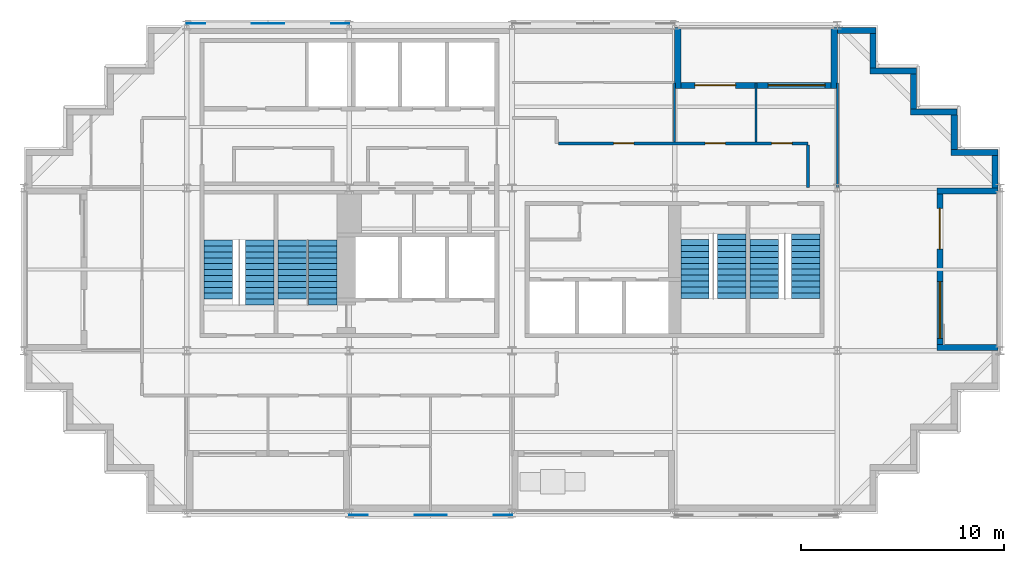
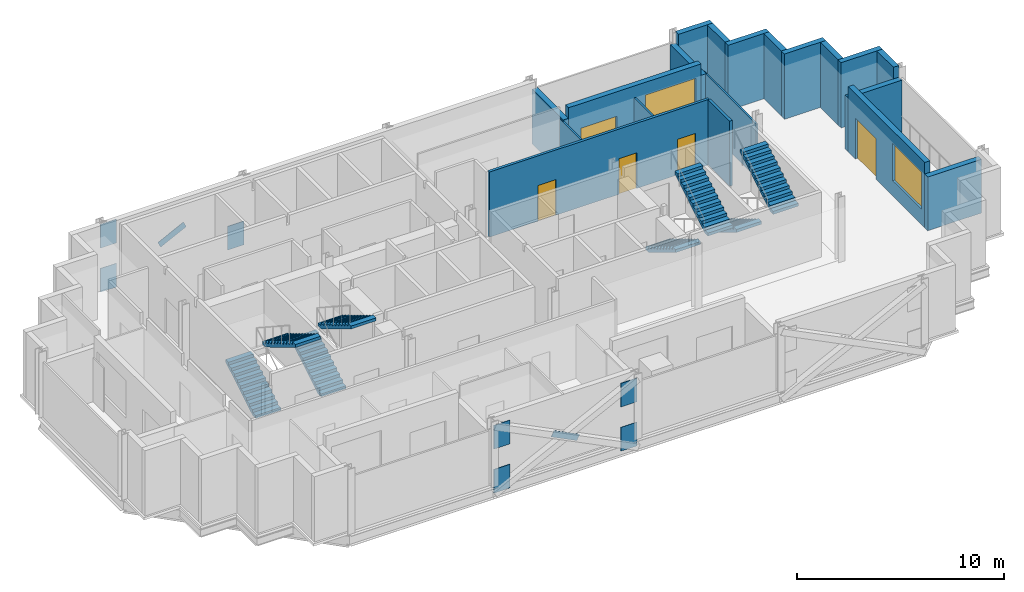
# One storey, part 7 of 10: 19 walls, 9 discrete accessories, 8 stair flights, 5 doors, 2 windows, 7 openings, 4 elements without a shape of their own.
"""IFC4 building model written with IfcOpenShell, lengths in metres."""

from ifc_helpers import new_model, si_unit, direction, frame, frame_2d, origin, origin_2d, place, context, subcontext, project, spatial, polyline, rectangle, outline, extrude, material, layer, layer_set, material_profile, profile_set, type_object, element, fill, aggregate, save


model = new_model("IFC4")

# Units and contexts
model_context = context("Model", 3, precision=1e-05, world=origin(), true_north=direction((0.0, 1.0)))
body_context = subcontext(model_context, "Body", "Model", "MODEL_VIEW")
ifc_project = project(units=[si_unit("LENGTHUNIT", "METRE"), si_unit("AREAUNIT", "SQUARE_METRE"), si_unit("VOLUMEUNIT", "CUBIC_METRE"), si_unit("PLANEANGLEUNIT", "RADIAN"), si_unit("MASSUNIT", "GRAM", prefix="KILO")], contexts=[model_context])

# Site, building, storey
site_placement = place(None, origin())
site = spatial("IfcSite", under=ifc_project, at=site_placement, CompositionType="ELEMENT")
building_placement = place(site_placement, origin())
building = spatial("IfcBuilding", under=site, at=building_placement, Name="Immortelle Media Tower", CompositionType="ELEMENT")
storey_placement = place(building_placement, frame((0.0, 0.0, 213.0)))
storey = spatial("IfcBuildingStorey", under=building, at=storey_placement, Name="L45", CompositionType="ELEMENT", Elevation=213.0)

# Wall
ifc_material_1 = material(Name="Fire-rated gypsum board", Category="gypsum")
ifc_layer_1 = layer(ifc_material_1, 0.012451171875)
ifc_material_2 = material(Name="Steel ASTM A653 SS Gr 50 stud frame with mineral wool", Category="steel")
ifc_layer_2 = layer(ifc_material_2, 0.125)
ifc_layer_3 = layer(ifc_material_1, 0.012451171875)
ifc_layer_set_1 = layer_set([ifc_layer_1, ifc_layer_2, ifc_layer_3], Name="Steel ASTM A653 SS Gr 50 stud frame with mineral wool")
wall_type_1 = type_object("IfcWallType", Name="Corridor wall 150", PredefinedType="PARTITIONING", material=ifc_layer_set_1)
wall_1_placement = place(storey_placement, frame((38.550048828125, 16.030029296875, 0.0), z_axis=(0.0, 0.0, 1.0), x_axis=(0.0, 1.0, 0.0)))
element("IfcWall", 1, at=wall_1_placement, inside=storey, type_object=wall_type_1, Name="Partition L45-016", PredefinedType="PARTITIONING", context=body_context, shape_type="SweptSolid", body=[
    extrude(rectangle(XDim=2.094970703125, YDim=0.14990234375, at=frame_2d((1.04736328125, 0.0))), origin(), (0.0, 0.0, 1.0), 3.85009765625),
])

# Wall, openings, doors
wall_2_placement = place(storey_placement, frame((26.27490234375, 18.199951171875, 0.0), z_axis=(0.0, 0.0, 1.0), x_axis=(1.0, 0.0, 0.0)))
wall_2 = element("IfcWall", 2, at=wall_2_placement, inside=storey, type_object=wall_type_1, Name="Partition L45-018", PredefinedType="PARTITIONING", context=body_context, shape_type="SweptSolid", body=[
    extrude(rectangle(XDim=12.275146484375, YDim=0.14990234375, at=frame_2d((6.1376953125, 0.0))), origin(), (0.0, 0.0, 1.0), 3.85009765625),
])
opening_1_placement = place(wall_2_placement, frame((7.22509765625, 0.0, 0.0)))
opening_1 = element("IfcOpeningElement", 3, at=opening_1_placement, cuts=wall_2, Name="Opening O3-F011", PredefinedType="OPENING", context=body_context, shape_type="SweptSolid", body=[
    extrude(rectangle(XDim=1.0, YDim=2.10009765625, at=frame_2d((0.5, 1.050048828125))), frame((0.0, 0.0849609375, 0.0), z_axis=(0.0, -1.0, 0.0), x_axis=(1.0, 0.0, 0.0)), (0.0, 0.0, 1.0), 0.169921875),
])
opening_2_placement = place(wall_2_placement, frame((10.5, 0.0, 0.0)))
opening_2 = element("IfcOpeningElement", 4, at=opening_2_placement, cuts=wall_2, Name="Opening O3-F012", PredefinedType="OPENING", context=body_context, shape_type="SweptSolid", body=[
    extrude(rectangle(XDim=1.0, YDim=2.10009765625, at=frame_2d((0.5, 1.050048828125))), frame((0.0, 0.0849609375, 0.0), z_axis=(0.0, -1.0, 0.0), x_axis=(1.0, 0.0, 0.0)), (0.0, 0.0, 1.0), 0.169921875),
])
opening_3_placement = place(wall_2_placement, frame((2.72509765625, 0.0, 0.0)))
opening_3 = element("IfcOpeningElement", 5, at=opening_3_placement, cuts=wall_2, Name="Opening O3-F013", PredefinedType="OPENING", context=body_context, shape_type="SweptSolid", body=[
    extrude(rectangle(XDim=1.0, YDim=2.10009765625, at=frame_2d((0.5, 1.050048828125))), frame((0.0, 0.0849609375, 0.0), z_axis=(0.0, -1.0, 0.0), x_axis=(1.0, 0.0, 0.0)), (0.0, 0.0, 1.0), 0.169921875),
])
ifc_material_3 = material(Name="Timber veneered door leaf, galvanised steel frame ASTM A653", Category="steel")
door_type_1 = type_object("IfcDoorType", Name="Room door 1000 x 2100", OperationType="NOTDEFINED", PredefinedType="DOOR", material=ifc_material_3)
door_1_placement = place(opening_1_placement, origin())
door_1 = element("IfcDoor", 6, at=door_1_placement, inside=storey, type_object=door_type_1, Name="Door O3-F011", OperationType="SINGLE_SWING_RIGHT", OverallHeight=2.10009765625, OverallWidth=1.0, PredefinedType="DOOR", context=body_context, shape_type="SweptSolid", body=[
    extrude(rectangle(XDim=1.0, YDim=2.10009765625, at=frame_2d((0.5, 1.050048828125))), frame((0.0, 0.02490234375, 0.0), z_axis=(0.0, -1.0, 0.0), x_axis=(1.0, 0.0, 0.0)), (0.0, 0.0, 1.0), 0.050048828125),
])
fill(opening_1, door_1)
door_2_placement = place(opening_2_placement, origin())
door_2 = element("IfcDoor", 7, at=door_2_placement, inside=storey, type_object=door_type_1, Name="Door O3-F012", OperationType="SINGLE_SWING_LEFT", OverallHeight=2.10009765625, OverallWidth=1.0, PredefinedType="DOOR", context=body_context, shape_type="SweptSolid", body=[
    extrude(rectangle(XDim=1.0, YDim=2.10009765625, at=frame_2d((0.5, 1.050048828125))), frame((0.0, 0.02490234375, 0.0), z_axis=(0.0, -1.0, 0.0), x_axis=(1.0, 0.0, 0.0)), (0.0, 0.0, 1.0), 0.050048828125),
])
fill(opening_2, door_2)
door_3_placement = place(opening_3_placement, origin())
door_3 = element("IfcDoor", 8, at=door_3_placement, inside=storey, type_object=door_type_1, Name="Door O3-F013", OperationType="SINGLE_SWING_RIGHT", OverallHeight=2.10009765625, OverallWidth=1.0, PredefinedType="DOOR", context=body_context, shape_type="SweptSolid", body=[
    extrude(rectangle(XDim=1.0, YDim=2.10009765625, at=frame_2d((0.5, 1.050048828125))), frame((0.0, 0.02490234375, 0.0), z_axis=(0.0, -1.0, 0.0), x_axis=(1.0, 0.0, 0.0)), (0.0, 0.0, 1.0), 0.050048828125),
])
fill(opening_3, door_3)

# Wall, openings, door, window
ifc_material_4 = material(Name="Pale aluminium cladding panel", Category="aluminium")
ifc_layer_4 = layer(ifc_material_4, 0.030029296875)
ifc_layer_5 = layer(ifc_material_2, 0.257568359375)
ifc_material_5 = material(Name="Moisture-resistant gypsum board", Category="gypsum")
ifc_layer_6 = layer(ifc_material_5, 0.012451171875)
ifc_layer_set_2 = layer_set([ifc_layer_4, ifc_layer_5, ifc_layer_6], Name="Steel ASTM A653 SS Gr 50 stud frame with mineral wool")
wall_type_2 = type_object("IfcWallType", Name="Facade wall 300", PredefinedType="SOLIDWALL", material=ifc_layer_set_2)
wall_3_placement = place(storey_placement, frame((45.050048828125, 8.300048828125, 0.0), z_axis=(0.0, 0.0, 1.0), x_axis=(0.0, 1.0, 0.0)))
wall_3 = element("IfcWall", 9, at=wall_3_placement, inside=storey, type_object=wall_type_2, Name="Loggia wall L45 E13", PredefinedType="SOLIDWALL", context=body_context, shape_type="SweptSolid", body=[
    extrude(rectangle(XDim=7.39990234375, YDim=0.300048828125, at=frame_2d((3.699951171875, 0.0))), origin(), (0.0, 0.0, 1.0), 3.85009765625),
])
opening_4_placement = place(wall_3_placement, frame((0.300048828125, 0.0, 0.89990234375)))
opening_4 = element("IfcOpeningElement", 10, at=opening_4_placement, cuts=wall_3, Name="Opening W1", PredefinedType="OPENING", context=body_context, shape_type="SweptSolid", body=[
    extrude(rectangle(XDim=2.800048828125, YDim=2.199951171875, at=frame_2d((1.39990234375, 1.10009765625))), frame((0.0, 0.159912109375, 0.0), z_axis=(0.0, -1.0, 0.0), x_axis=(1.0, 0.0, 0.0)), (0.0, 0.0, 1.0), 0.320068359375),
])
opening_5_placement = place(wall_3_placement, frame((4.699951171875, 0.0, 0.0)))
opening_5 = element("IfcOpeningElement", 11, at=opening_5_placement, cuts=wall_3, Name="Opening O3-E003", PredefinedType="OPENING", context=body_context, shape_type="SweptSolid", body=[
    extrude(rectangle(XDim=2.0, YDim=2.39990234375, at=frame_2d((1.0, 1.199951171875))), frame((0.0, 0.159912109375, 0.0), z_axis=(0.0, -1.0, 0.0), x_axis=(1.0, 0.0, 0.0)), (0.0, 0.0, 1.0), 0.320068359375),
])
ifc_material_6 = material(Name="Aluminium frame, glazed leaves", Category="aluminium")
door_type_2 = type_object("IfcDoorType", Name="Loggia door 2000 x 2400", OperationType="DOUBLE_DOOR_SINGLE_SWING", PredefinedType="DOOR", material=ifc_material_6)
door_4_placement = place(opening_5_placement, origin())
door_4 = element("IfcDoor", 12, at=door_4_placement, inside=storey, type_object=door_type_2, Name="Door O3-E003", OperationType="DOUBLE_DOOR_SINGLE_SWING", OverallHeight=2.39990234375, OverallWidth=2.0, PredefinedType="DOOR", context=body_context, shape_type="SweptSolid", body=[
    extrude(rectangle(XDim=2.0, YDim=2.39990234375, at=frame_2d((1.0, 1.199951171875))), frame((0.0, 0.02490234375, 0.0), z_axis=(0.0, -1.0, 0.0), x_axis=(1.0, 0.0, 0.0)), (0.0, 0.0, 1.0), 0.050048828125),
])
fill(opening_5, door_4)
ifc_material_7 = material(Name="Aluminium frame", Category="aluminium")
window_type = type_object("IfcWindowType", Name="Window 2800 x 2200", PartitioningType="SINGLE_PANEL", PredefinedType="WINDOW", material=ifc_material_7)
window_1_placement = place(opening_4_placement, origin())
window_1 = element("IfcWindow", 13, at=window_1_placement, inside=storey, type_object=window_type, Name="Window L45 L45-R13-B0", OverallHeight=2.199951171875, OverallWidth=2.800048828125, PartitioningType="SINGLE_PANEL", PredefinedType="WINDOW", context=body_context, shape_type="SweptSolid", body=[
    extrude(rectangle(XDim=2.800048828125, YDim=2.199951171875, at=frame_2d((1.39990234375, 1.10009765625))), frame((0.0, 0.030029296875, 0.0), z_axis=(0.0, -1.0, 0.0), x_axis=(1.0, 0.0, 0.0)), (0.0, 0.0, 1.0), 0.06005859375),
])
fill(opening_4, window_1)

# Walls
for number, where, z_axis, x_axis, name in (
    (14, (47.89990234375, 8.14990234375, 0.0), (0.0, 0.0, 1.0), (-1.0, 0.0, 0.0), "Loggia cheek wall L45 E"),
    (15, (47.89990234375, 15.85009765625, 0.0), (0.0, 0.0, 1.0), (-1.0, 0.0, 0.0), "Loggia cheek wall L45 E"),
):
    element("IfcWall", number, at=place(storey_placement, frame(where, z_axis=z_axis, x_axis=x_axis)), inside=storey, type_object=wall_type_2, Name=name, PredefinedType="SOLIDWALL", context=body_context, shape_type="SweptSolid", body=[
        extrude(rectangle(XDim=3.0, YDim=0.300048828125, at=frame_2d((1.5, 0.0))), origin(), (0.0, 0.0, 1.0), 3.1708984375),
    ])
wall_4_placement = place(storey_placement, frame((47.75, 16.0, 0.0), z_axis=(0.0, 0.0, 1.0), x_axis=(0.0, 1.0, 0.0)))
element("IfcWall", 16, at=wall_4_placement, inside=storey, type_object=wall_type_2, Name="Facade wall L45 E13", PredefinedType="SOLIDWALL", context=body_context, shape_type="SweptSolid", body=[
    extrude(rectangle(XDim=1.60009765625, YDim=0.300048828125, at=frame_2d((0.800048828125, 0.0))), origin(), (0.0, 0.0, 1.0), 3.85009765625),
])
wall_5_placement = place(storey_placement, frame((47.89990234375, 17.75, 0.0), z_axis=(0.0, 0.0, 1.0), x_axis=(-1.0, 0.0, 0.0)))
element("IfcWall", 17, at=wall_5_placement, inside=storey, type_object=wall_type_2, Name="Facade wall L45 N14", PredefinedType="SOLIDWALL", context=body_context, shape_type="SweptSolid", body=[
    extrude(rectangle(XDim=2.2998046875, YDim=0.300048828125, at=frame_2d((1.14990234375, 0.0))), origin(), (0.0, 0.0, 1.0), 3.85009765625),
])
wall_6_placement = place(storey_placement, frame((45.75, 17.89990234375, 0.0), z_axis=(0.0, 0.0, 1.0), x_axis=(0.0, 1.0, 0.0)))
element("IfcWall", 18, at=wall_6_placement, inside=storey, type_object=wall_type_2, Name="Facade wall L45 E15", PredefinedType="SOLIDWALL", context=body_context, shape_type="SweptSolid", body=[
    extrude(rectangle(XDim=1.7001953125, YDim=0.300048828125, at=frame_2d((0.85009765625, 0.0))), origin(), (0.0, 0.0, 1.0), 3.85009765625),
])
wall_7_placement = place(storey_placement, frame((45.89990234375, 19.75, 0.0), z_axis=(0.0, 0.0, 1.0), x_axis=(-1.0, 0.0, 0.0)))
element("IfcWall", 19, at=wall_7_placement, inside=storey, type_object=wall_type_2, Name="Facade wall L45 N16", PredefinedType="SOLIDWALL", context=body_context, shape_type="SweptSolid", body=[
    extrude(rectangle(XDim=2.2998046875, YDim=0.300048828125, at=frame_2d((1.14990234375, 0.0))), origin(), (0.0, 0.0, 1.0), 3.85009765625),
])
wall_8_placement = place(storey_placement, frame((43.75, 19.89990234375, 0.0), z_axis=(0.0, 0.0, 1.0), x_axis=(0.0, 1.0, 0.0)))
element("IfcWall", 20, at=wall_8_placement, inside=storey, type_object=wall_type_2, Name="Facade wall L45 E17", PredefinedType="SOLIDWALL", context=body_context, shape_type="SweptSolid", body=[
    extrude(rectangle(XDim=1.7001953125, YDim=0.300048828125, at=frame_2d((0.85009765625, 0.0))), origin(), (0.0, 0.0, 1.0), 3.85009765625),
])
wall_9_placement = place(storey_placement, frame((43.89990234375, 21.75, 0.0), z_axis=(0.0, 0.0, 1.0), x_axis=(-1.0, 0.0, 0.0)))
element("IfcWall", 21, at=wall_9_placement, inside=storey, type_object=wall_type_2, Name="Facade wall L45 N18", PredefinedType="SOLIDWALL", context=body_context, shape_type="SweptSolid", body=[
    extrude(rectangle(XDim=2.2998046875, YDim=0.300048828125, at=frame_2d((1.14990234375, 0.0))), origin(), (0.0, 0.0, 1.0), 3.85009765625),
])
wall_10_placement = place(storey_placement, frame((41.75, 21.89990234375, 0.0), z_axis=(0.0, 0.0, 1.0), x_axis=(0.0, 1.0, 0.0)))
element("IfcWall", 22, at=wall_10_placement, inside=storey, type_object=wall_type_2, Name="Facade wall L45 E19", PredefinedType="SOLIDWALL", context=body_context, shape_type="SweptSolid", body=[
    extrude(rectangle(XDim=1.7001953125, YDim=0.300048828125, at=frame_2d((0.85009765625, 0.0))), origin(), (0.0, 0.0, 1.0), 3.85009765625),
])
wall_11_placement = place(storey_placement, frame((41.89990234375, 23.75, 0.0), z_axis=(0.0, 0.0, 1.0), x_axis=(-1.0, 0.0, 0.0)))
element("IfcWall", 23, at=wall_11_placement, inside=storey, type_object=wall_type_2, Name="Facade wall L45 N20", PredefinedType="SOLIDWALL", context=body_context, shape_type="SweptSolid", body=[
    extrude(rectangle(XDim=1.89990234375, YDim=0.300048828125, at=frame_2d((0.949951171875, 0.0))), origin(), (0.0, 0.0, 1.0), 3.85009765625),
])

# Wall, openings, door, window
wall_12_placement = place(storey_placement, frame((39.699951171875, 21.050048828125, 0.0), z_axis=(0.0, 0.0, 1.0), x_axis=(-1.0, 0.0, 0.0)))
wall_12 = element("IfcWall", 24, at=wall_12_placement, inside=storey, type_object=wall_type_2, Name="Loggia wall L45 N20", PredefinedType="SOLIDWALL", context=body_context, shape_type="SweptSolid", body=[
    extrude(rectangle(XDim=7.39990234375, YDim=0.300048828125, at=frame_2d((3.699951171875, 0.0))), origin(), (0.0, 0.0, 1.0), 3.85009765625),
])
opening_6_placement = place(wall_12_placement, frame((0.300048828125, 0.0, 0.89990234375)))
opening_6 = element("IfcOpeningElement", 25, at=opening_6_placement, cuts=wall_12, Name="Opening W1", PredefinedType="OPENING", context=body_context, shape_type="SweptSolid", body=[
    extrude(rectangle(XDim=2.800048828125, YDim=2.199951171875, at=frame_2d((1.39990234375, 1.10009765625))), frame((0.0, 0.159912109375, 0.0), z_axis=(0.0, -1.0, 0.0), x_axis=(1.0, 0.0, 0.0)), (0.0, 0.0, 1.0), 0.320068359375),
])
opening_7_placement = place(wall_12_placement, frame((4.699951171875, 0.0, 0.0)))
opening_7 = element("IfcOpeningElement", 26, at=opening_7_placement, cuts=wall_12, Name="Opening O3-E004", PredefinedType="OPENING", context=body_context, shape_type="SweptSolid", body=[
    extrude(rectangle(XDim=2.0, YDim=2.39990234375, at=frame_2d((1.0, 1.199951171875))), frame((0.0, 0.159912109375, 0.0), z_axis=(0.0, -1.0, 0.0), x_axis=(1.0, 0.0, 0.0)), (0.0, 0.0, 1.0), 0.320068359375),
])
door_5_placement = place(opening_7_placement, origin())
door_5 = element("IfcDoor", 27, at=door_5_placement, inside=storey, type_object=door_type_2, Name="Door O3-E004", OperationType="DOUBLE_DOOR_SINGLE_SWING", OverallHeight=2.39990234375, OverallWidth=2.0, PredefinedType="DOOR", context=body_context, shape_type="SweptSolid", body=[
    extrude(rectangle(XDim=2.0, YDim=2.39990234375, at=frame_2d((1.0, 1.199951171875))), frame((0.0, 0.02490234375, 0.0), z_axis=(0.0, -1.0, 0.0), x_axis=(1.0, 0.0, 0.0)), (0.0, 0.0, 1.0), 0.050048828125),
])
fill(opening_7, door_5)
window_2_placement = place(opening_6_placement, origin())
window_2 = element("IfcWindow", 28, at=window_2_placement, inside=storey, type_object=window_type, Name="Window L45 L45-R20-B0", OverallHeight=2.199951171875, OverallWidth=2.800048828125, PartitioningType="SINGLE_PANEL", PredefinedType="WINDOW", context=body_context, shape_type="SweptSolid", body=[
    extrude(rectangle(XDim=2.800048828125, YDim=2.199951171875, at=frame_2d((1.39990234375, 1.10009765625))), frame((0.0, 0.030029296875, 0.0), z_axis=(0.0, -1.0, 0.0), x_axis=(1.0, 0.0, 0.0)), (0.0, 0.0, 1.0), 0.06005859375),
])
fill(opening_6, window_2)

# Walls
wall_13_placement = place(storey_placement, frame((39.85009765625, 23.89990234375, 0.0), z_axis=(0.0, 0.0, 1.0), x_axis=(0.0, -1.0, 0.0)))
element("IfcWall", 29, at=wall_13_placement, inside=storey, type_object=wall_type_2, Name="Loggia cheek wall L45 N", PredefinedType="SOLIDWALL", context=body_context, shape_type="SweptSolid", body=[
    extrude(rectangle(XDim=3.0, YDim=0.300048828125, at=frame_2d((1.5, 0.0))), origin(), (0.0, 0.0, 1.0), 3.1708984375),
])
wall_14_placement = place(storey_placement, frame((32.14990234375, 23.89990234375, 0.0), z_axis=(0.0, 0.0, 1.0), x_axis=(0.0, -1.0, 0.0)))
element("IfcWall", 30, at=wall_14_placement, inside=storey, type_object=wall_type_2, Name="Loggia cheek wall L45 N", PredefinedType="SOLIDWALL", context=body_context, shape_type="SweptSolid", body=[
    extrude(rectangle(XDim=3.0, YDim=0.300048828125, at=frame_2d((1.5, 0.0))), origin(), (0.0, 0.0, 1.0), 3.237060546875),
])
ifc_material_8 = material(Name="Gypsum board", Category="gypsum")
ifc_layer_7 = layer(ifc_material_8, 0.012451171875)
ifc_layer_8 = layer(ifc_material_2, 0.074951171875)
ifc_layer_9 = layer(ifc_material_8, 0.012451171875)
ifc_layer_set_3 = layer_set([ifc_layer_7, ifc_layer_8, ifc_layer_9], Name="Steel ASTM A653 SS Gr 50 stud frame with mineral wool")
wall_type_3 = type_object("IfcWallType", Name="Partition 100", PredefinedType="PARTITIONING", material=ifc_layer_set_3)
wall_15_placement = place(storey_placement, frame((40.0, 16.030029296875, 0.0), z_axis=(0.0, 0.0, 1.0), x_axis=(0.0, 1.0, 0.0)))
element("IfcWall", 31, at=wall_15_placement, inside=storey, type_object=wall_type_3, Name="Partition L45-017", PredefinedType="PARTITIONING", context=body_context, shape_type="SweptSolid", body=[
    extrude(rectangle(XDim=5.139892578125, YDim=0.10009765625, at=frame_2d((2.56982421875, 0.0))), origin(), (0.0, 0.0, 1.0), 3.156982421875),
])
for number, where, z_axis, x_axis, name in (
    (32, (32.0, 18.27490234375, 0.0), (0.0, 0.0, 1.0), (0.0, 1.0, 0.0), "Partition L45-020"),
    (33, (36.0, 18.27490234375, 0.0), (0.0, 0.0, 1.0), (0.0, 1.0, 0.0), "Partition L45-021"),
):
    element("IfcWall", number, at=place(storey_placement, frame(where, z_axis=z_axis, x_axis=x_axis)), inside=storey, type_object=wall_type_3, Name=name, PredefinedType="PARTITIONING", context=body_context, shape_type="SweptSolid", body=[
        extrude(rectangle(XDim=2.89501953125, YDim=0.10009765625, at=frame_2d((1.447509765625, 0.0))), origin(), (0.0, 0.0, 1.0), 3.156982421875),
    ])

# Stair, stair flights
ifc_material_9 = material(Name="Steel ASTM A992 Gr 50", Category="steel")
stair_type = type_object("IfcStairType", Name="Stair with flights", PredefinedType="DOUBLE_RETURN_STAIR", material=ifc_material_9)
stair_1_placement = place(storey_placement, origin())
stair_1 = element("IfcStair", 34, at=stair_1_placement, inside=storey, type_object=stair_type, Name="Exit stair SW1", PredefinedType="DOUBLE_RETURN_STAIR")
stair_flight_type = type_object("IfcStairFlightType", Name="Stair flight 1400", PredefinedType="STRAIGHT", material=ifc_material_9)
stair_flight_1_placement = place(storey_placement, frame((9.550048828125, 10.5400390625, 0.0), z_axis=(0.0, 0.0, 1.0), x_axis=(0.0, 1.0, 0.0)))
stair_flight_1 = element("IfcStairFlight", 35, at=stair_flight_1_placement, type_object=stair_flight_type, Name="ST SW1 flight 1", NumberOfRisers=11, NumberOfTreads=10, PredefinedType="STRAIGHT", RiserHeight=0.173913043, TreadLength=0.29, context=body_context, shape_type="SweptSolid", body=[
    extrude(outline(polyline([(0.0, 0.0), (0.0, 0.173828125), (0.2900390625, 0.173828125), (0.2900390625, 0.347900390625), (0.580078125, 0.347900390625), (0.580078125, 0.521728515625), (0.8701171875, 0.521728515625), (0.8701171875, 0.695556640625), (1.159912109375, 0.695556640625), (1.159912109375, 0.86962890625), (1.449951171875, 0.86962890625), (1.449951171875, 1.04345703125), (1.739990234375, 1.04345703125), (1.739990234375, 1.21728515625), (2.030029296875, 1.21728515625), (2.030029296875, 1.391357421875), (2.320068359375, 1.391357421875), (2.320068359375, 1.565185546875), (2.610107421875, 1.565185546875), (2.610107421875, 1.739013671875), (2.89990234375, 1.739013671875), (2.89990234375, 1.9130859375), (2.89990234375, 1.564453125), (0.29150390625, 0.0), (0.0, 0.0)])), frame((0.0, 0.699951171875, 0.0), z_axis=(0.0, -1.0, 0.0), x_axis=(1.0, 0.0, 0.0)), (0.0, 0.0, 1.0), 1.39990234375),
])
stair_flight_2_placement = place(storey_placement, frame((11.60009765625, 13.43994140625, 1.9130859375), z_axis=(0.0, 0.0, 1.0), x_axis=(0.0, -1.0, 0.0)))
stair_flight_2 = element("IfcStairFlight", 36, at=stair_flight_2_placement, type_object=stair_flight_type, Name="ST SW1 flight 2", NumberOfRisers=12, NumberOfTreads=11, PredefinedType="STRAIGHT", RiserHeight=0.173913043, TreadLength=0.29, context=body_context, shape_type="SweptSolid", body=[
    extrude(outline(polyline([(0.0, 0.0), (0.0, 0.173828125), (0.2900390625, 0.173828125), (0.2900390625, 0.347900390625), (0.580078125, 0.347900390625), (0.580078125, 0.521728515625), (0.8701171875, 0.521728515625), (0.8701171875, 0.695556640625), (1.159912109375, 0.695556640625), (1.159912109375, 0.86962890625), (1.449951171875, 0.86962890625), (1.449951171875, 1.04345703125), (1.739990234375, 1.04345703125), (1.739990234375, 1.21728515625), (2.030029296875, 1.21728515625), (2.030029296875, 1.391357421875), (2.320068359375, 1.391357421875), (2.320068359375, 1.565185546875), (2.610107421875, 1.565185546875), (2.610107421875, 1.739013671875), (2.89990234375, 1.739013671875), (2.89990234375, 1.9130859375), (3.18994140625, 1.9130859375), (3.18994140625, 2.0869140625), (3.18994140625, 1.73828125), (0.29150390625, 0.0), (0.0, 0.0)])), frame((0.0, 0.699951171875, 0.0), z_axis=(0.0, -1.0, 0.0), x_axis=(1.0, 0.0, 0.0)), (0.0, 0.0, 1.0), 1.39990234375),
])
aggregate(stair_1, [stair_flight_1, stair_flight_2])

stair_2_placement = place(storey_placement, origin())
stair_2 = element("IfcStair", 37, at=stair_2_placement, inside=storey, type_object=stair_type, Name="Exit stair SW2", PredefinedType="DOUBLE_RETURN_STAIR")
stair_flight_3_placement = place(storey_placement, frame((13.199951171875, 10.5400390625, 0.0), z_axis=(0.0, 0.0, 1.0), x_axis=(0.0, 1.0, 0.0)))
stair_flight_3 = element("IfcStairFlight", 38, at=stair_flight_3_placement, type_object=stair_flight_type, Name="ST SW2 flight 1", NumberOfRisers=11, NumberOfTreads=10, PredefinedType="STRAIGHT", RiserHeight=0.173913043, TreadLength=0.29, context=body_context, shape_type="SweptSolid", body=[
    extrude(outline(polyline([(0.0, 0.0), (0.0, 0.173828125), (0.2900390625, 0.173828125), (0.2900390625, 0.347900390625), (0.580078125, 0.347900390625), (0.580078125, 0.521728515625), (0.8701171875, 0.521728515625), (0.8701171875, 0.695556640625), (1.159912109375, 0.695556640625), (1.159912109375, 0.86962890625), (1.449951171875, 0.86962890625), (1.449951171875, 1.04345703125), (1.739990234375, 1.04345703125), (1.739990234375, 1.21728515625), (2.030029296875, 1.21728515625), (2.030029296875, 1.391357421875), (2.320068359375, 1.391357421875), (2.320068359375, 1.565185546875), (2.610107421875, 1.565185546875), (2.610107421875, 1.739013671875), (2.89990234375, 1.739013671875), (2.89990234375, 1.9130859375), (2.89990234375, 1.564453125), (0.29150390625, 0.0), (0.0, 0.0)])), frame((0.0, 0.699951171875, 0.0), z_axis=(0.0, -1.0, 0.0), x_axis=(1.0, 0.0, 0.0)), (0.0, 0.0, 1.0), 1.39990234375),
])
stair_flight_4_placement = place(storey_placement, frame((14.699951171875, 13.43994140625, 1.9130859375), z_axis=(0.0, 0.0, 1.0), x_axis=(0.0, -1.0, 0.0)))
stair_flight_4 = element("IfcStairFlight", 39, at=stair_flight_4_placement, type_object=stair_flight_type, Name="ST SW2 flight 2", NumberOfRisers=12, NumberOfTreads=11, PredefinedType="STRAIGHT", RiserHeight=0.173913043, TreadLength=0.29, context=body_context, shape_type="SweptSolid", body=[
    extrude(outline(polyline([(0.0, 0.0), (0.0, 0.173828125), (0.2900390625, 0.173828125), (0.2900390625, 0.347900390625), (0.580078125, 0.347900390625), (0.580078125, 0.521728515625), (0.8701171875, 0.521728515625), (0.8701171875, 0.695556640625), (1.159912109375, 0.695556640625), (1.159912109375, 0.86962890625), (1.449951171875, 0.86962890625), (1.449951171875, 1.04345703125), (1.739990234375, 1.04345703125), (1.739990234375, 1.21728515625), (2.030029296875, 1.21728515625), (2.030029296875, 1.391357421875), (2.320068359375, 1.391357421875), (2.320068359375, 1.565185546875), (2.610107421875, 1.565185546875), (2.610107421875, 1.739013671875), (2.89990234375, 1.739013671875), (2.89990234375, 1.9130859375), (3.18994140625, 1.9130859375), (3.18994140625, 2.0869140625), (3.18994140625, 1.73828125), (0.29150390625, 0.0), (0.0, 0.0)])), frame((0.0, 0.699951171875, 0.0), z_axis=(0.0, -1.0, 0.0), x_axis=(1.0, 0.0, 0.0)), (0.0, 0.0, 1.0), 1.39990234375),
])
aggregate(stair_2, [stair_flight_3, stair_flight_4])

stair_3_placement = place(storey_placement, origin())
stair_3 = element("IfcStair", 40, at=stair_3_placement, inside=storey, type_object=stair_type, Name="Exit stair SE1", PredefinedType="DOUBLE_RETURN_STAIR")
stair_flight_5_placement = place(storey_placement, frame((33.0, 13.4599609375, 0.0), z_axis=(0.0, 0.0, 1.0), x_axis=(0.0, -1.0, 0.0)))
stair_flight_5 = element("IfcStairFlight", 41, at=stair_flight_5_placement, type_object=stair_flight_type, Name="ST SE1 flight 1", NumberOfRisers=11, NumberOfTreads=10, PredefinedType="STRAIGHT", RiserHeight=0.173913043, TreadLength=0.29, context=body_context, shape_type="SweptSolid", body=[
    extrude(outline(polyline([(0.0, 0.0), (0.0, 0.173828125), (0.2900390625, 0.173828125), (0.2900390625, 0.347900390625), (0.580078125, 0.347900390625), (0.580078125, 0.521728515625), (0.8701171875, 0.521728515625), (0.8701171875, 0.695556640625), (1.159912109375, 0.695556640625), (1.159912109375, 0.86962890625), (1.449951171875, 0.86962890625), (1.449951171875, 1.04345703125), (1.739990234375, 1.04345703125), (1.739990234375, 1.21728515625), (2.030029296875, 1.21728515625), (2.030029296875, 1.391357421875), (2.320068359375, 1.391357421875), (2.320068359375, 1.565185546875), (2.610107421875, 1.565185546875), (2.610107421875, 1.739013671875), (2.89990234375, 1.739013671875), (2.89990234375, 1.9130859375), (2.89990234375, 1.564453125), (0.29150390625, 0.0), (0.0, 0.0)])), frame((0.0, 0.699951171875, 0.0), z_axis=(0.0, -1.0, 0.0), x_axis=(1.0, 0.0, 0.0)), (0.0, 0.0, 1.0), 1.39990234375),
])
stair_flight_6_placement = place(storey_placement, frame((34.800048828125, 10.56005859375, 1.9130859375), z_axis=(0.0, 0.0, 1.0), x_axis=(0.0, 1.0, 0.0)))
stair_flight_6 = element("IfcStairFlight", 42, at=stair_flight_6_placement, type_object=stair_flight_type, Name="ST SE1 flight 2", NumberOfRisers=12, NumberOfTreads=11, PredefinedType="STRAIGHT", RiserHeight=0.173913043, TreadLength=0.29, context=body_context, shape_type="SweptSolid", body=[
    extrude(outline(polyline([(0.0, 0.0), (0.0, 0.173828125), (0.2900390625, 0.173828125), (0.2900390625, 0.347900390625), (0.580078125, 0.347900390625), (0.580078125, 0.521728515625), (0.8701171875, 0.521728515625), (0.8701171875, 0.695556640625), (1.159912109375, 0.695556640625), (1.159912109375, 0.86962890625), (1.449951171875, 0.86962890625), (1.449951171875, 1.04345703125), (1.739990234375, 1.04345703125), (1.739990234375, 1.21728515625), (2.030029296875, 1.21728515625), (2.030029296875, 1.391357421875), (2.320068359375, 1.391357421875), (2.320068359375, 1.565185546875), (2.610107421875, 1.565185546875), (2.610107421875, 1.739013671875), (2.89990234375, 1.739013671875), (2.89990234375, 1.9130859375), (3.18994140625, 1.9130859375), (3.18994140625, 2.0869140625), (3.18994140625, 1.73828125), (0.29150390625, 0.0), (0.0, 0.0)])), frame((0.0, 0.699951171875, 0.0), z_axis=(0.0, -1.0, 0.0), x_axis=(1.0, 0.0, 0.0)), (0.0, 0.0, 1.0), 1.39990234375),
])
aggregate(stair_3, [stair_flight_5, stair_flight_6])

stair_4_placement = place(storey_placement, origin())
stair_4 = element("IfcStair", 43, at=stair_4_placement, inside=storey, type_object=stair_type, Name="Exit stair SE2", PredefinedType="DOUBLE_RETURN_STAIR")
stair_flight_7_placement = place(storey_placement, frame((36.39990234375, 13.4599609375, 0.0), z_axis=(0.0, 0.0, 1.0), x_axis=(0.0, -1.0, 0.0)))
stair_flight_7 = element("IfcStairFlight", 44, at=stair_flight_7_placement, type_object=stair_flight_type, Name="ST SE2 flight 1", NumberOfRisers=11, NumberOfTreads=10, PredefinedType="STRAIGHT", RiserHeight=0.173913043, TreadLength=0.29, context=body_context, shape_type="SweptSolid", body=[
    extrude(outline(polyline([(0.0, 0.0), (0.0, 0.173828125), (0.2900390625, 0.173828125), (0.2900390625, 0.347900390625), (0.580078125, 0.347900390625), (0.580078125, 0.521728515625), (0.8701171875, 0.521728515625), (0.8701171875, 0.695556640625), (1.159912109375, 0.695556640625), (1.159912109375, 0.86962890625), (1.449951171875, 0.86962890625), (1.449951171875, 1.04345703125), (1.739990234375, 1.04345703125), (1.739990234375, 1.21728515625), (2.030029296875, 1.21728515625), (2.030029296875, 1.391357421875), (2.320068359375, 1.391357421875), (2.320068359375, 1.565185546875), (2.610107421875, 1.565185546875), (2.610107421875, 1.739013671875), (2.89990234375, 1.739013671875), (2.89990234375, 1.9130859375), (2.89990234375, 1.564453125), (0.29150390625, 0.0), (0.0, 0.0)])), frame((0.0, 0.699951171875, 0.0), z_axis=(0.0, -1.0, 0.0), x_axis=(1.0, 0.0, 0.0)), (0.0, 0.0, 1.0), 1.39990234375),
])
stair_flight_8_placement = place(storey_placement, frame((38.449951171875, 10.56005859375, 1.9130859375), z_axis=(0.0, 0.0, 1.0), x_axis=(0.0, 1.0, 0.0)))
stair_flight_8 = element("IfcStairFlight", 45, at=stair_flight_8_placement, type_object=stair_flight_type, Name="ST SE2 flight 2", NumberOfRisers=12, NumberOfTreads=11, PredefinedType="STRAIGHT", RiserHeight=0.173913043, TreadLength=0.29, context=body_context, shape_type="SweptSolid", body=[
    extrude(outline(polyline([(0.0, 0.0), (0.0, 0.173828125), (0.2900390625, 0.173828125), (0.2900390625, 0.347900390625), (0.580078125, 0.347900390625), (0.580078125, 0.521728515625), (0.8701171875, 0.521728515625), (0.8701171875, 0.695556640625), (1.159912109375, 0.695556640625), (1.159912109375, 0.86962890625), (1.449951171875, 0.86962890625), (1.449951171875, 1.04345703125), (1.739990234375, 1.04345703125), (1.739990234375, 1.21728515625), (2.030029296875, 1.21728515625), (2.030029296875, 1.391357421875), (2.320068359375, 1.391357421875), (2.320068359375, 1.565185546875), (2.610107421875, 1.565185546875), (2.610107421875, 1.739013671875), (2.89990234375, 1.739013671875), (2.89990234375, 1.9130859375), (3.18994140625, 1.9130859375), (3.18994140625, 2.0869140625), (3.18994140625, 1.73828125), (0.29150390625, 0.0), (0.0, 0.0)])), frame((0.0, 0.699951171875, 0.0), z_axis=(0.0, -1.0, 0.0), x_axis=(1.0, 0.0, 0.0)), (0.0, 0.0, 1.0), 1.39990234375),
])
aggregate(stair_4, [stair_flight_7, stair_flight_8])

# Discrete accessories
ifc_material_10 = material(Name="Steel ASTM A572 Gr 50", Category="steel")
ifc_material_profile_1 = material_profile(ifc_material_10, rectangle(XDim=0.02392578125, YDim=0.35595703125, at=origin_2d()), Name="PL 24 x 356")
ifc_profile_set_1 = profile_set([ifc_material_profile_1], Name="Steel ASTM A572 Gr 50")
discrete_accessory_type_1 = type_object("IfcDiscreteAccessoryType", Name="Crossing plate XP-BR5 1600 x 356 x 24", PredefinedType="USERDEFINED", material=ifc_profile_set_1)
for number, where, z_axis, x_axis, name in (
    (46, (12.715576171875, 24.087890625, 1.90185546875), (-0.894427191, 0.0, -0.4472135955), (0.0, -1.0, 0.0), "Crossing plate XP-BR5 of Brace D/2-3 A and Brace D/2-3 B"),
    (47, (19.284423828125, -0.087890625, 1.90185546875), (0.894427191, 0.0, -0.4472135955), (0.0, 1.0, 0.0), "Crossing plate XP-BR5 of Brace A/3-4 A and Brace A/3-4 B"),
):
    element("IfcDiscreteAccessory", number, at=place(storey_placement, frame(where, z_axis=z_axis, x_axis=x_axis)), inside=storey, type_object=discrete_accessory_type_1, Name=name, ObjectType="CROSSING PLATE", PredefinedType="USERDEFINED", context=body_context, shape_type="SweptSolid", body=[
        extrude(rectangle(XDim=0.02392578125, YDim=0.35595703125, at=origin_2d()), origin(), (0.0, 0.0, 1.0), 1.60009765625),
    ])
ifc_material_profile_2 = material_profile(ifc_material_10, rectangle(XDim=0.031982421875, YDim=1.39990234375, at=origin_2d()), Name="PL 32 x 1400")
ifc_profile_set_2 = profile_set([ifc_material_profile_2], Name="Steel ASTM A572 Gr 50")
discrete_accessory_type_2 = type_object("IfcDiscreteAccessoryType", Name="Gusset plate GP1 900 x 1400 x 32", PredefinedType="USERDEFINED", material=ifc_profile_set_2)
for number, where, z_axis, x_axis, name in (
    (48, (16.0, -0.087890625, 0.243896484375), (1.0, 0.0, 0.0), (0.0, 1.0, 0.0), "Gusset plate GP1, lower end of Brace A/3-4 A"),
    (49, (24.0, -0.087890625, 2.843994140625), (-1.0, 0.0, 0.0), (0.0, -1.0, 0.0), "Gusset plate GP1, upper end of Brace A/3-4 A"),
    (50, (24.0, -0.087890625, 0.243896484375), (-1.0, 0.0, 0.0), (0.0, -1.0, 0.0), "Gusset plate GP1, lower end of Brace A/3-4 B"),
    (51, (16.0, -0.087890625, 2.843994140625), (1.0, 0.0, 0.0), (0.0, 1.0, 0.0), "Gusset plate GP1, upper end of Brace A/3-4 B"),
    (52, (16.0, 24.087890625, 0.243896484375), (-1.0, 0.0, 0.0), (0.0, -1.0, 0.0), "Gusset plate GP1, lower end of Brace D/2-3 A"),
    (53, (8.0, 24.087890625, 2.843994140625), (1.0, 0.0, 0.0), (0.0, 1.0, 0.0), "Gusset plate GP1, upper end of Brace D/2-3 A"),
    (54, (8.0, 24.087890625, 0.243896484375), (1.0, 0.0, 0.0), (0.0, 1.0, 0.0), "Gusset plate GP1, lower end of Brace D/2-3 B"),
):
    element("IfcDiscreteAccessory", number, at=place(storey_placement, frame(where, z_axis=z_axis, x_axis=x_axis)), inside=storey, type_object=discrete_accessory_type_2, Name=name, ObjectType="GUSSET PLATE", PredefinedType="USERDEFINED", context=body_context, shape_type="SweptSolid", body=[
        extrude(rectangle(XDim=0.031982421875, YDim=1.39990234375, at=origin_2d()), origin(), (0.0, 0.0, 1.0), 0.89990234375),
    ])

save(model, "model.ifc")
